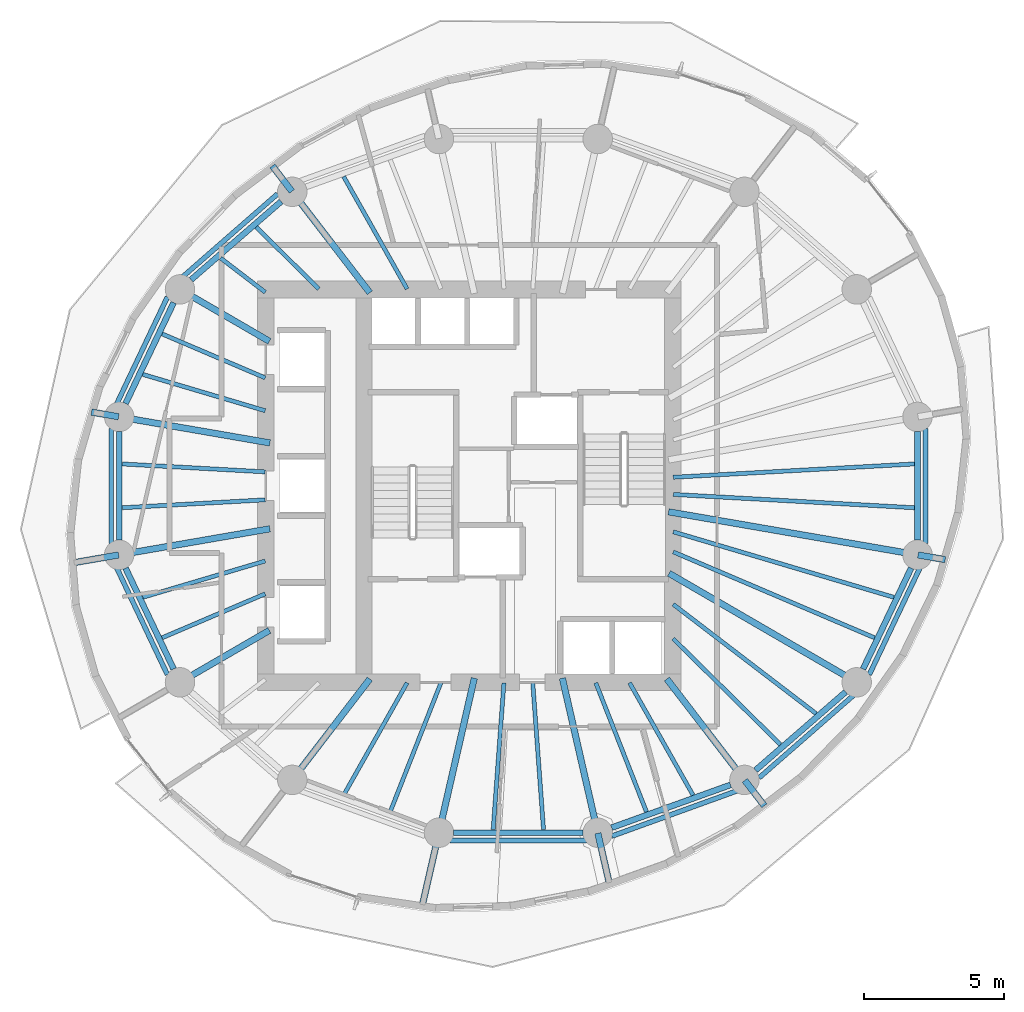
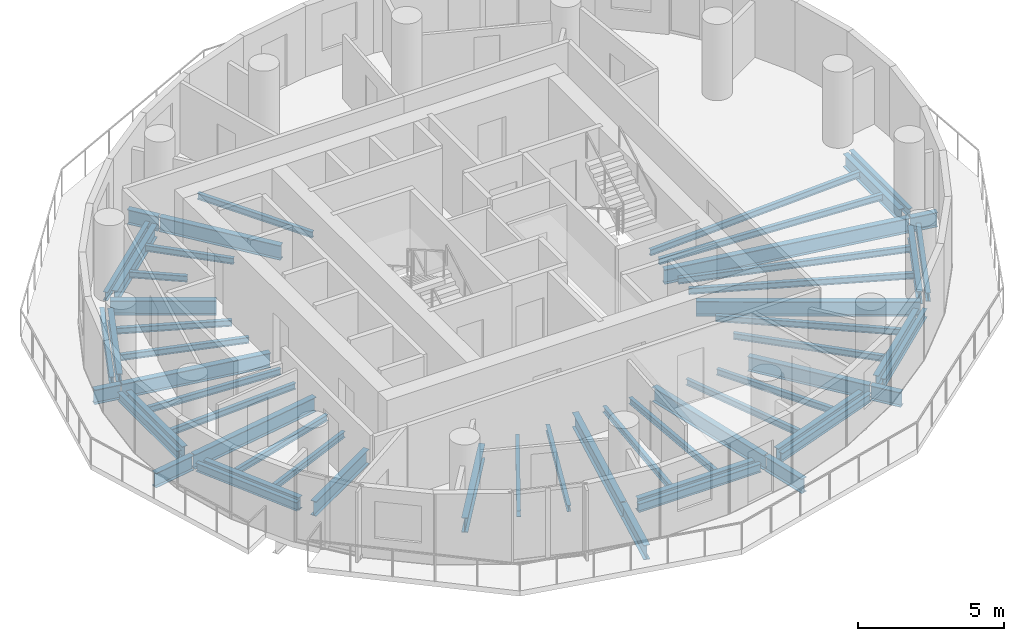
# One storey, part 2 of 12: 57 beams.
"""IFC4 building model written with IfcOpenShell, lengths in metres."""

import ifcopenshell
import ifcopenshell.guid

model = None  # the IFC model being written
_history = None  # IfcOwnerHistory: only IFC2X3 demands one
_inside = {}  # id of a spatial element -> (the spatial element, [elements in it])
_under = {}  # id of a project, library or spatial element -> (it, [spatial elements below it])
_declared = {}  # id of a project -> (the project, [libraries it declares])
_typed = {}  # id of a type object -> (the type object, [elements of that type])
_made_of = {}  # id of a material, layer set ... -> (it, [elements and type objects made of it])


def new_model(schema):
    """Start an empty IFC model of exactly this schema.

    Asked for "IFC4X3", IfcOpenShell would pick the latest addendum, in which some entities
    have other attributes; the version numbers below select the first issue.
    IFC2X3 requires an IfcOwnerHistory on every rooted entity: one is made here for all.
    """
    global model, _history
    if schema == "IFC4X3":
        model = ifcopenshell.file(schema_version=(4, 3, 0, 0))
    else:
        model = ifcopenshell.file(schema=schema)
    _inside.clear()
    _under.clear()
    _declared.clear()
    _typed.clear()
    _made_of.clear()
    _history = None
    if model.schema == "IFC2X3":
        org = make("IfcOrganization", Name="unknown")
        user = make(
            "IfcPersonAndOrganization",
            ThePerson=make("IfcPerson", FamilyName="unknown"),
            TheOrganization=org,
        )
        app = make(
            "IfcApplication",
            ApplicationDeveloper=org,
            Version="unknown",
            ApplicationFullName="unknown",
            ApplicationIdentifier="unknown",
        )
        _history = make(
            "IfcOwnerHistory",
            OwningUser=user,
            OwningApplication=app,
            ChangeAction="ADDED",
            CreationDate=0,
        )
    return model


def make(cls, **values):
    """One entity of the class cls with the attributes given. An attribute that is None is left unset."""
    return model.create_entity(
        cls, **{name: value for name, value in values.items() if value is not None}
    )


def rooted(cls, **values):
    """An entity with a GlobalId (a new one), such as an element, a storey or a relation."""
    return make(cls, GlobalId=ifcopenshell.guid.new(), OwnerHistory=_history, **values)


def si_unit(unit_type, name, prefix=None):
    """IfcSIUnit, for example si_unit("LENGTHUNIT", "METRE", prefix="MILLI")."""
    return make("IfcSIUnit", UnitType=unit_type, Prefix=prefix, Name=name)


def assignment(units):
    """IfcUnitAssignment: the units of a project."""
    return None if units is None else make("IfcUnitAssignment", Units=units)


def point(xyz):
    """IfcCartesianPoint."""
    return None if xyz is None else make("IfcCartesianPoint", Coordinates=xyz)


def direction(xyz):
    """IfcDirection."""
    return None if xyz is None else make("IfcDirection", DirectionRatios=xyz)


def frame(location, z_axis=None, x_axis=None):
    """IfcAxis2Placement3D, a coordinate frame: its origin and axes. An axis left out is left unset."""
    return make(
        "IfcAxis2Placement3D",
        Location=point(location),
        Axis=direction(z_axis),
        RefDirection=direction(x_axis),
    )


def frame_2d(location, x_axis=None):
    """IfcAxis2Placement2D, a coordinate frame in the plane: its origin and x axis."""
    return make(
        "IfcAxis2Placement2D", Location=point(location), RefDirection=direction(x_axis)
    )


def origin():
    """The frame at (0, 0, 0) with its axes left unset."""
    return frame((0.0, 0.0, 0.0))


def origin_2d():
    """The frame at (0, 0) in the plane with its x axis left unset."""
    return frame_2d((0.0, 0.0))


def place(relative_to, where):
    """IfcLocalPlacement: puts the frame where relative to a parent placement (None: the world)."""
    return make(
        "IfcLocalPlacement", PlacementRelTo=relative_to, RelativePlacement=where
    )


def context(
    kind, dimensions, precision=None, world=None, true_north=None, identifier=None
):
    """IfcGeometricRepresentationContext, for example the 3D "Model" context."""
    return make(
        "IfcGeometricRepresentationContext",
        ContextIdentifier=identifier,
        ContextType=kind,
        CoordinateSpaceDimension=dimensions,
        Precision=precision,
        WorldCoordinateSystem=world,
        TrueNorth=true_north,
    )


def subcontext(parent, identifier, kind, view, scale=None):
    """IfcGeometricRepresentationSubContext, for example "Body" below "Model"."""
    return make(
        "IfcGeometricRepresentationSubContext",
        ContextIdentifier=identifier,
        ContextType=kind,
        ParentContext=parent,
        TargetScale=scale,
        TargetView=view,
    )


def project(units=None, contexts=None):
    """IfcProject with its units and contexts."""
    return rooted(
        "IfcProject",
        Name="project",
        RepresentationContexts=contexts,
        UnitsInContext=assignment(units),
    )


def spatial(cls, under=None, at=None, **own):
    """A site, building, storey or space (cls), placed at a placement, below another one or the project."""
    s = rooted(cls, ObjectPlacement=at, **own)
    if under is not None:
        _under.setdefault(under.id(), (under, []))[1].append(s)
    return s


def profile(cls, at=None, kind="AREA", **sizes):
    """A parametric profile (cls). Its sizes go by their IFC names, for example OverallWidth=200.0."""
    return make(cls, ProfileType=kind, Position=at, **sizes)


def i_section(**sizes):
    """IfcIShapeProfileDef."""
    return profile("IfcIShapeProfileDef", **sizes)


def extrude(swept, where, along, depth):
    """IfcExtrudedAreaSolid: the profile swept, set in the frame where, extruded along a direction by depth."""
    return make(
        "IfcExtrudedAreaSolid",
        SweptArea=swept,
        Position=where,
        ExtrudedDirection=direction(along),
        Depth=depth,
    )


def shape(context_of_items, identifier, shape_type, items):
    """IfcShapeRepresentation: the items that make up one representation, for example the "Body"."""
    return make(
        "IfcShapeRepresentation",
        ContextOfItems=context_of_items,
        RepresentationIdentifier=identifier,
        RepresentationType=shape_type,
        Items=items,
    )


def material(Name=None, Category=None):
    """IfcMaterial."""
    return make("IfcMaterial", Name=Name, Category=Category)


def material_profile(
    of_material, cross_section, Name=None, Category=None, Priority=None
):
    """IfcMaterialProfile: a cross section and its material."""
    return make(
        "IfcMaterialProfile",
        Name=Name,
        Material=of_material,
        Profile=cross_section,
        Priority=Priority,
        Category=Category,
    )


def profile_set(profiles, Name=None, composite=None):
    """IfcMaterialProfileSet."""
    return make(
        "IfcMaterialProfileSet",
        Name=Name,
        MaterialProfiles=profiles,
        CompositeProfile=composite,
    )


def made_of(thing, what):
    """Note that an element or type object is made of a material, layer set ...; save() writes the relation."""
    if what is not None:
        _made_of.setdefault(what.id(), (what, []))[1].append(thing)
    return thing


def type_object(cls, material=None, **own):
    """A type object (cls), such as IfcWallType, which elements share."""
    return made_of(rooted(cls, **own), material)


def element(
    cls,
    number,
    at=None,
    inside=None,
    cuts=None,
    type_object=None,
    material=None,
    context=None,
    identifier="Body",
    shape_type=None,
    held_by="IfcProductDefinitionShape",
    body=None,
    shapes=None,
    **own,
):
    """One element of the class cls, such as IfcWall. Its Tag is "e" and its number.

    at: its placement. inside: the storey or other place that contains it. cuts: it is an
    opening in that element (IfcRelVoidsElement). A single representation is given by context,
    identifier, shape_type and body (its items); several are given by shapes. held_by: the class
    of the entity that holds the representations. save() writes the other relations.
    """
    e = rooted(cls, Tag="e%d" % number, ObjectPlacement=at, **own)
    if body is not None:
        shapes = [shape(context, identifier, shape_type, body)]
    if shapes is not None:
        e.Representation = make(held_by, Representations=shapes)
    if inside is not None:
        _inside.setdefault(inside.id(), (inside, []))[1].append(e)
    if cuts is not None:
        rooted(
            "IfcRelVoidsElement", RelatingBuildingElement=cuts, RelatedOpeningElement=e
        )
    if type_object is not None:
        _typed.setdefault(type_object.id(), (type_object, []))[1].append(e)
    return made_of(e, material)


def aggregate(whole, parts):
    """IfcRelAggregates: a whole, such as a stair, and the parts it consists of."""
    return rooted("IfcRelAggregates", RelatingObject=whole, RelatedObjects=parts)


def save(model, path):
    """Write the relations noted so far, then the file.

    IfcRelAggregates (storeys below a building ...), IfcRelContainedInSpatialStructure (elements
    in a storey), IfcRelDefinesByType, IfcRelAssociatesMaterial and IfcRelDeclares: one each for
    every whole, place, type object, material and project.
    """
    for whole, parts in _under.values():
        aggregate(whole, parts)
    for where, things in _inside.values():
        rooted(
            "IfcRelContainedInSpatialStructure",
            RelatedElements=things,
            RelatingStructure=where,
        )
    for kind, things in _typed.values():
        rooted("IfcRelDefinesByType", RelatedObjects=things, RelatingType=kind)
    for what, things in _made_of.values():
        rooted("IfcRelAssociatesMaterial", RelatedObjects=things, RelatingMaterial=what)
    for by, libraries in _declared.values():
        rooted("IfcRelDeclares", RelatingContext=by, RelatedDefinitions=libraries)
    model.write(path)


model = new_model("IFC4")

# Units and contexts
model_context = context("Model", 3, precision=1e-05, world=origin(), true_north=direction((0.0, 1.0)))
body_context = subcontext(model_context, "Body", "Model", "MODEL_VIEW")
ifc_project = project(units=[si_unit("LENGTHUNIT", "METRE"), si_unit("AREAUNIT", "SQUARE_METRE"), si_unit("VOLUMEUNIT", "CUBIC_METRE"), si_unit("PLANEANGLEUNIT", "RADIAN"), si_unit("MASSUNIT", "GRAM", prefix="KILO")], contexts=[model_context])

# Site, building, storey
site_placement = place(None, origin())
site = spatial("IfcSite", under=ifc_project, at=site_placement, CompositionType="ELEMENT")
building_placement = place(site_placement, origin())
building = spatial("IfcBuilding", under=site, at=building_placement, Name="Veldorim Arch Residences", CompositionType="ELEMENT")
storey_placement = place(building_placement, frame((0.0, 0.0, 132.9599609375)))
storey = spatial("IfcBuildingStorey", under=building, at=storey_placement, Name="L39", CompositionType="ELEMENT", Elevation=132.9599609375)

# Beams
ifc_material_1 = material(Name="Steel S355", Category="steel")
ifc_material_profile_1 = material_profile(ifc_material_1, i_section(OverallWidth=0.2099609375, OverallDepth=0.53662109375, WebThickness=0.0107421875, FlangeThickness=0.017333984375, at=origin_2d()), Name="UB533x210x101")
ifc_profile_set_1 = profile_set([ifc_material_profile_1], Name="Steel S355")
beam_type_1 = type_object("IfcBeamType", Name="Structural Steel Beam UB533x210x101", PredefinedType="BEAM", material=ifc_profile_set_1)
beam_1_placement = place(storey_placement, frame((23.5478515625, 34.132080078125, -0.50830078125), z_axis=(-0.754810789581, -0.655942582802, 0.0), x_axis=(0.655942582802, -0.754810789581, 0.0)))
element("IfcBeam", 1, at=beam_1_placement, inside=storey, type_object=beam_type_1, Name="L39 perimeter ring tie beam 06", PredefinedType="BEAM", context=body_context, shape_type="SweptSolid", body=[
    extrude(i_section(OverallWidth=0.2099609375, OverallDepth=0.53662109375, WebThickness=0.0107421875, FlangeThickness=0.017333984375, at=origin_2d()), origin(), (0.0, 0.0, 1.0), 4.249755859375),
])
beam_2_placement = place(storey_placement, frame((19.7177734375, 30.5263671875, -0.50830078125), z_axis=(-0.43028577851, -0.902692721147, 0.0), x_axis=(0.902692721147, -0.43028577851, 0.0)))
element("IfcBeam", 2, at=beam_2_placement, inside=storey, type_object=beam_type_1, Name="L39 perimeter ring tie beam 07", PredefinedType="BEAM", context=body_context, shape_type="SweptSolid", body=[
    extrude(i_section(OverallWidth=0.2099609375, OverallDepth=0.53662109375, WebThickness=0.0107421875, FlangeThickness=0.017333984375, at=origin_2d()), origin(), (0.0, 0.0, 1.0), 3.98193359375),
])
beam_3_placement = place(storey_placement, frame((17.778564453125, 25.93310546875, -0.50830078125), z_axis=(0.0, -1.0, 0.0), x_axis=(1.0, 0.0, 0.0)))
element("IfcBeam", 3, at=beam_3_placement, inside=storey, type_object=beam_type_1, Name="L39 perimeter ring tie beam 08", PredefinedType="BEAM", context=body_context, shape_type="SweptSolid", body=[
    extrude(i_section(OverallWidth=0.2099609375, OverallDepth=0.53662109375, WebThickness=0.0107421875, FlangeThickness=0.017333984375, at=origin_2d()), origin(), (0.0, 0.0, 1.0), 3.8662109375),
])
beam_4_placement = place(storey_placement, frame((18.00439453125, 21.068115234375, -0.50830078125), z_axis=(0.43028577851, -0.902692721147, 0.0), x_axis=(0.902692721147, 0.43028577851, 0.0)))
element("IfcBeam", 4, at=beam_4_placement, inside=storey, type_object=beam_type_1, Name="L39 perimeter ring tie beam 09", PredefinedType="BEAM", context=body_context, shape_type="SweptSolid", body=[
    extrude(i_section(OverallWidth=0.2099609375, OverallDepth=0.53662109375, WebThickness=0.0107421875, FlangeThickness=0.017333984375, at=origin_2d()), origin(), (0.0, 0.0, 1.0), 3.98193359375),
])
beam_5_placement = place(storey_placement, frame((29.6962890625, 11.64208984375, -0.50830078125), z_axis=(1.0, 0.0, 0.0), x_axis=(0.0, 1.0, 0.0)))
element("IfcBeam", 5, at=beam_5_placement, inside=storey, type_object=beam_type_1, Name="L39 perimeter ring tie beam 12", PredefinedType="BEAM", context=body_context, shape_type="SweptSolid", body=[
    extrude(i_section(OverallWidth=0.2099609375, OverallDepth=0.53662109375, WebThickness=0.0107421875, FlangeThickness=0.017333984375, at=origin_2d()), origin(), (0.0, 0.0, 1.0), 4.607421875),
])
beam_6_placement = place(storey_placement, frame((35.32275390625, 11.81982421875, -0.50830078125), z_axis=(0.940899155006, 0.338686846673, 0.0), x_axis=(-0.338686846673, 0.940899155006, 0.0)))
element("IfcBeam", 6, at=beam_6_placement, inside=storey, type_object=beam_type_1, Name="L39 perimeter ring tie beam 13", PredefinedType="BEAM", context=body_context, shape_type="SweptSolid", body=[
    extrude(i_section(OverallWidth=0.2099609375, OverallDepth=0.53662109375, WebThickness=0.0107421875, FlangeThickness=0.017333984375, at=origin_2d()), origin(), (0.0, 0.0, 1.0), 4.50537109375),
])
beam_7_placement = place(storey_placement, frame((40.4521484375, 13.867919921875, -0.50830078125), z_axis=(0.754810789581, 0.655942582802, 0.0), x_axis=(-0.655942582802, 0.754810789581, 0.0)))
element("IfcBeam", 7, at=beam_7_placement, inside=storey, type_object=beam_type_1, Name="L39 perimeter ring tie beam 14", PredefinedType="BEAM", context=body_context, shape_type="SweptSolid", body=[
    extrude(i_section(OverallWidth=0.2099609375, OverallDepth=0.53662109375, WebThickness=0.0107421875, FlangeThickness=0.017333984375, at=origin_2d()), origin(), (0.0, 0.0, 1.0), 4.249755859375),
])
beam_8_placement = place(storey_placement, frame((44.2822265625, 17.4736328125, -0.50830078125), z_axis=(0.43028577851, 0.902692721147, 0.0), x_axis=(-0.902692721147, 0.43028577851, 0.0)))
element("IfcBeam", 8, at=beam_8_placement, inside=storey, type_object=beam_type_1, Name="L39 perimeter ring tie beam 15", PredefinedType="BEAM", context=body_context, shape_type="SweptSolid", body=[
    extrude(i_section(OverallWidth=0.2099609375, OverallDepth=0.53662109375, WebThickness=0.0107421875, FlangeThickness=0.017333984375, at=origin_2d()), origin(), (0.0, 0.0, 1.0), 3.98193359375),
])
beam_9_placement = place(storey_placement, frame((46.221435546875, 22.06689453125, -0.50830078125), z_axis=(0.0, 1.0, 0.0), x_axis=(-1.0, 0.0, 0.0)))
element("IfcBeam", 9, at=beam_9_placement, inside=storey, type_object=beam_type_1, Name="L39 perimeter ring tie beam 16", PredefinedType="BEAM", context=body_context, shape_type="SweptSolid", body=[
    extrude(i_section(OverallWidth=0.2099609375, OverallDepth=0.53662109375, WebThickness=0.0107421875, FlangeThickness=0.017333984375, at=origin_2d()), origin(), (0.0, 0.0, 1.0), 3.8662109375),
])
ifc_material_2 = material(Name="Steel S355", Category="steel")
ifc_material_profile_2 = material_profile(ifc_material_2, i_section(OverallWidth=0.22900390625, OverallDepth=0.6123046875, WebThickness=0.011962890625, FlangeThickness=0.01953125, at=origin_2d()), Name="UB610x229x125")
ifc_profile_set_2 = profile_set([ifc_material_profile_2], Name="Steel S355")
beam_type_2 = type_object("IfcBeamType", Name="Structural Steel Beam UB610x229x125", PredefinedType="BEAM", material=ifc_profile_set_2)
beam_10_placement = place(storey_placement, frame((26.708740234375, 30.881103515625, -0.546142578125), z_axis=(-0.609559199361, 0.792740551804, 0.0), x_axis=(-0.792740551804, -0.609559199361, 0.0)))
element("IfcBeam", 10, at=beam_10_placement, inside=storey, type_object=beam_type_2, Name="L39 radial floor girder 06", PredefinedType="BEAM", context=body_context, shape_type="SweptSolid", body=[
    extrude(i_section(OverallWidth=0.22900390625, OverallDepth=0.6123046875, WebThickness=0.011962890625, FlangeThickness=0.01953125, at=origin_2d()), origin(), (0.0, 0.0, 1.0), 4.515380859375),
])
beam_11_placement = place(storey_placement, frame((23.931884765625, 34.492431640625, -0.546142578125), z_axis=(-0.609493928704, 0.792790735865, 0.0), x_axis=(-0.792790735865, -0.609493928704, 0.0)))
element("IfcBeam", 11, at=beam_11_placement, inside=storey, type_object=beam_type_2, Name="L39 radial edge cantilever girder 06", PredefinedType="BEAM", context=body_context, shape_type="SweptSolid", body=[
    extrude(i_section(OverallWidth=0.22900390625, OverallDepth=0.6123046875, WebThickness=0.011962890625, FlangeThickness=0.01953125, at=origin_2d()), origin(), (0.0, 0.0, 1.0), 1.142822265625),
])
beam_12_placement = place(storey_placement, frame((23.129638671875, 29.150390625, -0.546142578125), z_axis=(-0.864794546612, 0.502125872815, 0.0), x_axis=(-0.502125872815, -0.864794546612, 0.0)))
element("IfcBeam", 12, at=beam_12_placement, inside=storey, type_object=beam_type_2, Name="L39 radial floor girder 07", PredefinedType="BEAM", context=body_context, shape_type="SweptSolid", body=[
    extrude(i_section(OverallWidth=0.22900390625, OverallDepth=0.6123046875, WebThickness=0.011962890625, FlangeThickness=0.01953125, at=origin_2d()), origin(), (0.0, 0.0, 1.0), 3.6640625),
])
beam_13_placement = place(storey_placement, frame((23.147705078125, 25.530029296875, -0.546142578125), z_axis=(-0.985390445301, 0.170310511449, 0.0), x_axis=(-0.170310511449, -0.985390445301, 0.0)))
element("IfcBeam", 13, at=beam_13_placement, inside=storey, type_object=beam_type_2, Name="L39 radial floor girder 08", PredefinedType="BEAM", context=body_context, shape_type="SweptSolid", body=[
    extrude(i_section(OverallWidth=0.22900390625, OverallDepth=0.6123046875, WebThickness=0.011962890625, FlangeThickness=0.01953125, at=origin_2d()), origin(), (0.0, 0.0, 1.0), 5.4287109375),
])
beam_14_placement = place(storey_placement, frame((17.7587890625, 26.46142578125, -0.546142578125), z_axis=(-0.985360944305, 0.170481111675, 0.0), x_axis=(-0.170481111675, -0.985360944305, 0.0)))
element("IfcBeam", 14, at=beam_14_placement, inside=storey, type_object=beam_type_2, Name="L39 radial edge cantilever girder 08", PredefinedType="BEAM", context=body_context, shape_type="SweptSolid", body=[
    extrude(i_section(OverallWidth=0.22900390625, OverallDepth=0.6123046875, WebThickness=0.011962890625, FlangeThickness=0.01953125, at=origin_2d()), origin(), (0.0, 0.0, 1.0), 0.982421875),
])
beam_15_placement = place(storey_placement, frame((23.147705078125, 22.469970703125, -0.546142578125), z_axis=(-0.985390445301, -0.170310511449, 0.0), x_axis=(0.170310511449, -0.985390445301, 0.0)))
element("IfcBeam", 15, at=beam_15_placement, inside=storey, type_object=beam_type_2, Name="L39 radial floor girder 09", PredefinedType="BEAM", context=body_context, shape_type="SweptSolid", body=[
    extrude(i_section(OverallWidth=0.22900390625, OverallDepth=0.6123046875, WebThickness=0.011962890625, FlangeThickness=0.01953125, at=origin_2d()), origin(), (0.0, 0.0, 1.0), 5.4287109375),
])
beam_16_placement = place(storey_placement, frame((17.7587890625, 21.53857421875, -0.546142578125), z_axis=(-0.985381722232, -0.170360974082, 0.0), x_axis=(0.170360974082, -0.985381722232, 0.0)))
element("IfcBeam", 16, at=beam_16_placement, inside=storey, type_object=beam_type_2, Name="L39 radial edge cantilever girder 09", PredefinedType="BEAM", context=body_context, shape_type="SweptSolid", body=[
    extrude(i_section(OverallWidth=0.22900390625, OverallDepth=0.6123046875, WebThickness=0.011962890625, FlangeThickness=0.01953125, at=origin_2d()), origin(), (0.0, 0.0, 1.0), 1.6923828125),
])
beam_17_placement = place(storey_placement, frame((23.129638671875, 18.849609375, -0.546142578125), z_axis=(-0.864794546612, -0.502125872815, 0.0), x_axis=(0.502125872815, -0.864794546612, 0.0)))
element("IfcBeam", 17, at=beam_17_placement, inside=storey, type_object=beam_type_2, Name="L39 radial floor girder 10", PredefinedType="BEAM", context=body_context, shape_type="SweptSolid", body=[
    extrude(i_section(OverallWidth=0.22900390625, OverallDepth=0.6123046875, WebThickness=0.011962890625, FlangeThickness=0.01953125, at=origin_2d()), origin(), (0.0, 0.0, 1.0), 3.6640625),
])
beam_18_placement = place(storey_placement, frame((26.708740234375, 17.118896484375, -0.546142578125), z_axis=(-0.609559199361, -0.792740551804, 0.0), x_axis=(0.792740551804, -0.609559199361, 0.0)))
element("IfcBeam", 18, at=beam_18_placement, inside=storey, type_object=beam_type_2, Name="L39 radial floor girder 11", PredefinedType="BEAM", context=body_context, shape_type="SweptSolid", body=[
    extrude(i_section(OverallWidth=0.22900390625, OverallDepth=0.6123046875, WebThickness=0.011962890625, FlangeThickness=0.01953125, at=origin_2d()), origin(), (0.0, 0.0, 1.0), 4.515380859375),
])
beam_19_placement = place(storey_placement, frame((30.43115234375, 17.146240234375, -0.546142578125), z_axis=(-0.223119342184, -0.974791136164, 0.0), x_axis=(0.974791136164, -0.223119342184, 0.0)))
element("IfcBeam", 19, at=beam_19_placement, inside=storey, type_object=beam_type_2, Name="L39 radial floor girder 12", PredefinedType="BEAM", context=body_context, shape_type="SweptSolid", body=[
    extrude(i_section(OverallWidth=0.22900390625, OverallDepth=0.6123046875, WebThickness=0.011962890625, FlangeThickness=0.01953125, at=origin_2d()), origin(), (0.0, 0.0, 1.0), 5.62646484375),
])
beam_20_placement = place(storey_placement, frame((29.166748046875, 11.62255859375, -0.546142578125), z_axis=(-0.223142644538, -0.974785802209, 0.0), x_axis=(0.974785802209, -0.223142644538, 0.0)))
element("IfcBeam", 20, at=beam_20_placement, inside=storey, type_object=beam_type_2, Name="L39 radial edge cantilever girder 12", PredefinedType="BEAM", context=body_context, shape_type="SweptSolid", body=[
    extrude(i_section(OverallWidth=0.22900390625, OverallDepth=0.6123046875, WebThickness=0.011962890625, FlangeThickness=0.01953125, at=origin_2d()), origin(), (0.0, 0.0, 1.0), 2.6904296875),
])
beam_21_placement = place(storey_placement, frame((33.56884765625, 17.146240234375, -0.546142578125), z_axis=(0.223119342184, -0.974791136164, 0.0), x_axis=(0.974791136164, 0.223119342184, 0.0)))
element("IfcBeam", 21, at=beam_21_placement, inside=storey, type_object=beam_type_2, Name="L39 radial floor girder 13", PredefinedType="BEAM", context=body_context, shape_type="SweptSolid", body=[
    extrude(i_section(OverallWidth=0.22900390625, OverallDepth=0.6123046875, WebThickness=0.011962890625, FlangeThickness=0.01953125, at=origin_2d()), origin(), (0.0, 0.0, 1.0), 5.62646484375),
])
beam_22_placement = place(storey_placement, frame((34.833251953125, 11.62255859375, -0.546142578125), z_axis=(0.223112606044, -0.97479267797, 0.0), x_axis=(0.97479267797, 0.223112606044, 0.0)))
element("IfcBeam", 22, at=beam_22_placement, inside=storey, type_object=beam_type_2, Name="L39 radial edge cantilever girder 13", PredefinedType="BEAM", context=body_context, shape_type="SweptSolid", body=[
    extrude(i_section(OverallWidth=0.22900390625, OverallDepth=0.6123046875, WebThickness=0.011962890625, FlangeThickness=0.01953125, at=origin_2d()), origin(), (0.0, 0.0, 1.0), 1.888671875),
])
beam_23_placement = place(storey_placement, frame((37.291259765625, 17.118896484375, -0.546142578125), z_axis=(0.609559199361, -0.792740551804, 0.0), x_axis=(0.792740551804, 0.609559199361, 0.0)))
element("IfcBeam", 23, at=beam_23_placement, inside=storey, type_object=beam_type_2, Name="L39 radial floor girder 14", PredefinedType="BEAM", context=body_context, shape_type="SweptSolid", body=[
    extrude(i_section(OverallWidth=0.22900390625, OverallDepth=0.6123046875, WebThickness=0.011962890625, FlangeThickness=0.01953125, at=origin_2d()), origin(), (0.0, 0.0, 1.0), 4.515380859375),
])
beam_24_placement = place(storey_placement, frame((40.068115234375, 13.507568359375, -0.546142578125), z_axis=(0.609493928704, -0.792790735865, 0.0), x_axis=(0.792790735865, 0.609493928704, 0.0)))
element("IfcBeam", 24, at=beam_24_placement, inside=storey, type_object=beam_type_2, Name="L39 radial edge cantilever girder 14", PredefinedType="BEAM", context=body_context, shape_type="SweptSolid", body=[
    extrude(i_section(OverallWidth=0.22900390625, OverallDepth=0.6123046875, WebThickness=0.011962890625, FlangeThickness=0.01953125, at=origin_2d()), origin(), (0.0, 0.0, 1.0), 1.142822265625),
])
beam_25_placement = place(storey_placement, frame((37.370361328125, 20.8818359375, -0.546142578125), z_axis=(0.864793381443, -0.502127879542, 0.0), x_axis=(0.502127879542, 0.864793381443, 0.0)))
element("IfcBeam", 25, at=beam_25_placement, inside=storey, type_object=beam_type_2, Name="L39 radial floor girder 15", PredefinedType="BEAM", context=body_context, shape_type="SweptSolid", body=[
    extrude(i_section(OverallWidth=0.22900390625, OverallDepth=0.6123046875, WebThickness=0.011962890625, FlangeThickness=0.01953125, at=origin_2d()), origin(), (0.0, 0.0, 1.0), 7.71142578125),
])
beam_26_placement = place(storey_placement, frame((37.352294921875, 23.074951171875, -0.546142578125), z_axis=(0.985389398766, -0.170316566427, 0.0), x_axis=(0.170316566427, 0.985389398766, 0.0)))
element("IfcBeam", 26, at=beam_26_placement, inside=storey, type_object=beam_type_2, Name="L39 radial floor girder 16", PredefinedType="BEAM", context=body_context, shape_type="SweptSolid", body=[
    extrude(i_section(OverallWidth=0.22900390625, OverallDepth=0.6123046875, WebThickness=0.011962890625, FlangeThickness=0.01953125, at=origin_2d()), origin(), (0.0, 0.0, 1.0), 8.98046875),
])
beam_27_placement = place(storey_placement, frame((46.2412109375, 21.53857421875, -0.546142578125), z_axis=(0.985360944305, -0.170481111675, 0.0), x_axis=(0.170481111675, 0.985360944305, 0.0)))
element("IfcBeam", 27, at=beam_27_placement, inside=storey, type_object=beam_type_2, Name="L39 radial edge cantilever girder 16", PredefinedType="BEAM", context=body_context, shape_type="SweptSolid", body=[
    extrude(i_section(OverallWidth=0.22900390625, OverallDepth=0.6123046875, WebThickness=0.011962890625, FlangeThickness=0.01953125, at=origin_2d()), origin(), (0.0, 0.0, 1.0), 0.982421875),
])
ifc_material_3 = material(Name="Steel S355", Category="steel")
ifc_material_profile_3 = material_profile(ifc_material_3, i_section(OverallWidth=0.146484375, OverallDepth=0.256103515625, WebThickness=0.00634765625, FlangeThickness=0.010986328125, at=origin_2d()), Name="UB254x146x37")
ifc_profile_set_3 = profile_set([ifc_material_profile_3], Name="Steel S355")
beam_type_3 = type_object("IfcBeamType", Name="Structural Steel Joist UB254x146x37", PredefinedType="JOIST", material=ifc_profile_set_3)
beam_28_placement = place(storey_placement, frame((28.03662109375, 31.017333984375, -0.367919921875), z_axis=(-0.491815801586, 0.870699269157, 0.0), x_axis=(-0.870699269157, -0.491815801586, 0.0)))
element("IfcBeam", 28, at=beam_28_placement, inside=storey, type_object=beam_type_3, Name="L39 secondary radial floor joist 05-2", PredefinedType="JOIST", context=body_context, shape_type="SweptSolid", body=[
    extrude(i_section(OverallWidth=0.146484375, OverallDepth=0.256103515625, WebThickness=0.00634765625, FlangeThickness=0.010986328125, at=origin_2d()), origin(), (0.0, 0.0, 1.0), 4.59814453125),
])
beam_29_placement = place(storey_placement, frame((24.894287109375, 31.013916015625, -0.367919921875), z_axis=(-0.711683379532, 0.702500368183, 0.0), x_axis=(-0.702500368183, -0.711683379532, 0.0)))
element("IfcBeam", 29, at=beam_29_placement, inside=storey, type_object=beam_type_3, Name="L39 secondary radial floor joist 06-1", PredefinedType="JOIST", context=body_context, shape_type="SweptSolid", body=[
    extrude(i_section(OverallWidth=0.146484375, OverallDepth=0.256103515625, WebThickness=0.00634765625, FlangeThickness=0.010986328125, at=origin_2d()), origin(), (0.0, 0.0, 1.0), 3.13720703125),
])
beam_30_placement = place(storey_placement, frame((22.984130859375, 30.89697265625, -0.367919921875), z_axis=(-0.794312925337, 0.607508828448, 0.0), x_axis=(-0.607508828448, -0.794312925337, 0.0)))
element("IfcBeam", 30, at=beam_30_placement, inside=storey, type_object=beam_type_3, Name="L39 secondary radial floor joist 06-2", PredefinedType="JOIST", context=body_context, shape_type="SweptSolid", body=[
    extrude(i_section(OverallWidth=0.146484375, OverallDepth=0.256103515625, WebThickness=0.00634765625, FlangeThickness=0.010986328125, at=origin_2d()), origin(), (0.0, 0.0, 1.0), 2.006103515625),
])
beam_31_placement = place(storey_placement, frame((22.981689453125, 27.84619140625, -0.367919921875), z_axis=(-0.919823469329, 0.392332493265, 0.0), x_axis=(-0.392332493265, -0.919823469329, 0.0)))
element("IfcBeam", 31, at=beam_31_placement, inside=storey, type_object=beam_type_3, Name="L39 secondary radial floor joist 07-1", PredefinedType="JOIST", context=body_context, shape_type="SweptSolid", body=[
    extrude(i_section(OverallWidth=0.146484375, OverallDepth=0.256103515625, WebThickness=0.00634765625, FlangeThickness=0.010986328125, at=origin_2d()), origin(), (0.0, 0.0, 1.0), 3.993896484375),
])
beam_32_placement = place(storey_placement, frame((22.980712890625, 26.677001953125, -0.367919921875), z_axis=(-0.95868163277, 0.284481154014, 0.0), x_axis=(-0.284481154014, -0.95868163277, 0.0)))
element("IfcBeam", 32, at=beam_32_placement, inside=storey, type_object=beam_type_3, Name="L39 secondary radial floor joist 07-2", PredefinedType="JOIST", context=body_context, shape_type="SweptSolid", body=[
    extrude(i_section(OverallWidth=0.146484375, OverallDepth=0.256103515625, WebThickness=0.00634765625, FlangeThickness=0.010986328125, at=origin_2d()), origin(), (0.0, 0.0, 1.0), 4.54931640625),
])
for number, where, z_axis, x_axis, name in (
    (33, (22.97998046875, 24.498779296875, -0.367919921875), (-0.998472994317, 0.055242009562, 0.0), (-0.055242009562, -0.998472994317, 0.0), "L39 secondary radial floor joist 08-1"),
    (34, (22.97998046875, 23.501220703125, -0.367919921875), (-0.998472994317, -0.055242009562, 0.0), (0.055242009562, -0.998472994317, 0.0), "L39 secondary radial floor joist 08-2"),
):
    element("IfcBeam", number, at=place(storey_placement, frame(where, z_axis=z_axis, x_axis=x_axis)), inside=storey, type_object=beam_type_3, Name=name, PredefinedType="JOIST", context=body_context, shape_type="SweptSolid", body=[
        extrude(i_section(OverallWidth=0.146484375, OverallDepth=0.256103515625, WebThickness=0.00634765625, FlangeThickness=0.010986328125, at=origin_2d()), origin(), (0.0, 0.0, 1.0), 5.10009765625),
    ])
beam_33_placement = place(storey_placement, frame((22.980712890625, 21.322998046875, -0.367919921875), z_axis=(-0.95868163277, -0.284481154014, 0.0), x_axis=(0.284481154014, -0.95868163277, 0.0)))
element("IfcBeam", 35, at=beam_33_placement, inside=storey, type_object=beam_type_3, Name="L39 secondary radial floor joist 09-1", PredefinedType="JOIST", context=body_context, shape_type="SweptSolid", body=[
    extrude(i_section(OverallWidth=0.146484375, OverallDepth=0.256103515625, WebThickness=0.00634765625, FlangeThickness=0.010986328125, at=origin_2d()), origin(), (0.0, 0.0, 1.0), 4.54931640625),
])
beam_34_placement = place(storey_placement, frame((22.981689453125, 20.15380859375, -0.367919921875), z_axis=(-0.919823469329, -0.392332493265, 0.0), x_axis=(0.392332493265, -0.919823469329, 0.0)))
element("IfcBeam", 36, at=beam_34_placement, inside=storey, type_object=beam_type_3, Name="L39 secondary radial floor joist 09-2", PredefinedType="JOIST", context=body_context, shape_type="SweptSolid", body=[
    extrude(i_section(OverallWidth=0.146484375, OverallDepth=0.256103515625, WebThickness=0.00634765625, FlangeThickness=0.010986328125, at=origin_2d()), origin(), (0.0, 0.0, 1.0), 3.993896484375),
])
beam_35_placement = place(storey_placement, frame((28.03662109375, 16.982666015625, -0.367919921875), z_axis=(-0.491815801586, -0.870699269157, 0.0), x_axis=(0.870699269157, -0.491815801586, 0.0)))
element("IfcBeam", 37, at=beam_35_placement, inside=storey, type_object=beam_type_3, Name="L39 secondary radial floor joist 11-1", PredefinedType="JOIST", context=body_context, shape_type="SweptSolid", body=[
    extrude(i_section(OverallWidth=0.146484375, OverallDepth=0.256103515625, WebThickness=0.00634765625, FlangeThickness=0.010986328125, at=origin_2d()), origin(), (0.0, 0.0, 1.0), 4.59814453125),
])
beam_36_placement = place(storey_placement, frame((29.2412109375, 16.9814453125, -0.367919921875), z_axis=(-0.365777738491, -0.930702232739, 0.0), x_axis=(0.930702232739, -0.365777738491, 0.0)))
element("IfcBeam", 38, at=beam_36_placement, inside=storey, type_object=beam_type_3, Name="L39 secondary radial floor joist 11-2", PredefinedType="JOIST", context=body_context, shape_type="SweptSolid", body=[
    extrude(i_section(OverallWidth=0.146484375, OverallDepth=0.256103515625, WebThickness=0.00634765625, FlangeThickness=0.010986328125, at=origin_2d()), origin(), (0.0, 0.0, 1.0), 4.9404296875),
])
for number, where, z_axis, x_axis, name in (
    (39, (31.48583984375, 16.97998046875, -0.367919921875), (-0.073060364166, -0.997327520521, 0.0), (0.997327520521, -0.073060364166, 0.0), "L39 secondary radial floor joist 12-1"),
    (40, (32.51416015625, 16.97998046875, -0.367919921875), (0.073060364166, -0.997327520521, 0.0), (0.997327520521, 0.073060364166, 0.0), "L39 secondary radial floor joist 12-2"),
):
    element("IfcBeam", number, at=place(storey_placement, frame(where, z_axis=z_axis, x_axis=x_axis)), inside=storey, type_object=beam_type_3, Name=name, PredefinedType="JOIST", context=body_context, shape_type="SweptSolid", body=[
        extrude(i_section(OverallWidth=0.146484375, OverallDepth=0.256103515625, WebThickness=0.00634765625, FlangeThickness=0.010986328125, at=origin_2d()), origin(), (0.0, 0.0, 1.0), 5.242919921875),
    ])
beam_37_placement = place(storey_placement, frame((34.7587890625, 16.9814453125, -0.367919921875), z_axis=(0.365777738491, -0.930702232739, 0.0), x_axis=(0.930702232739, 0.365777738491, 0.0)))
element("IfcBeam", 41, at=beam_37_placement, inside=storey, type_object=beam_type_3, Name="L39 secondary radial floor joist 13-1", PredefinedType="JOIST", context=body_context, shape_type="SweptSolid", body=[
    extrude(i_section(OverallWidth=0.146484375, OverallDepth=0.256103515625, WebThickness=0.00634765625, FlangeThickness=0.010986328125, at=origin_2d()), origin(), (0.0, 0.0, 1.0), 4.9404296875),
])
beam_38_placement = place(storey_placement, frame((35.96337890625, 16.982666015625, -0.367919921875), z_axis=(0.491815801586, -0.870699269157, 0.0), x_axis=(0.870699269157, 0.491815801586, 0.0)))
element("IfcBeam", 42, at=beam_38_placement, inside=storey, type_object=beam_type_3, Name="L39 secondary radial floor joist 13-2", PredefinedType="JOIST", context=body_context, shape_type="SweptSolid", body=[
    extrude(i_section(OverallWidth=0.146484375, OverallDepth=0.256103515625, WebThickness=0.00634765625, FlangeThickness=0.010986328125, at=origin_2d()), origin(), (0.0, 0.0, 1.0), 4.59814453125),
])
beam_39_placement = place(storey_placement, frame((37.51416015625, 18.556884765625, -0.367919921875), z_axis=(0.711703457158, -0.702480027523, 0.0), x_axis=(0.702480027523, 0.711703457158, 0.0)))
element("IfcBeam", 43, at=beam_39_placement, inside=storey, type_object=beam_type_3, Name="L39 secondary radial floor joist 14-1", PredefinedType="JOIST", context=body_context, shape_type="SweptSolid", body=[
    extrude(i_section(OverallWidth=0.146484375, OverallDepth=0.256103515625, WebThickness=0.00634765625, FlangeThickness=0.010986328125, at=origin_2d()), origin(), (0.0, 0.0, 1.0), 5.373291015625),
])
beam_40_placement = place(storey_placement, frame((37.515869140625, 19.780517578125, -0.367919921875), z_axis=(0.794267053144, -0.607568801281, 0.0), x_axis=(0.607568801281, 0.794267053144, 0.0)))
element("IfcBeam", 44, at=beam_40_placement, inside=storey, type_object=beam_type_3, Name="L39 secondary radial floor joist 14-2", PredefinedType="JOIST", context=body_context, shape_type="SweptSolid", body=[
    extrude(i_section(OverallWidth=0.146484375, OverallDepth=0.256103515625, WebThickness=0.00634765625, FlangeThickness=0.010986328125, at=origin_2d()), origin(), (0.0, 0.0, 1.0), 6.412841796875),
])
beam_41_placement = place(storey_placement, frame((37.518310546875, 21.646484375, -0.367919921875), z_axis=(0.919831795434, -0.39231297214, 0.0), x_axis=(0.39231297214, 0.919831795434, 0.0)))
element("IfcBeam", 45, at=beam_41_placement, inside=storey, type_object=beam_type_3, Name="L39 secondary radial floor joist 15-1", PredefinedType="JOIST", context=body_context, shape_type="SweptSolid", body=[
    extrude(i_section(OverallWidth=0.146484375, OverallDepth=0.256103515625, WebThickness=0.00634765625, FlangeThickness=0.010986328125, at=origin_2d()), origin(), (0.0, 0.0, 1.0), 7.798828125),
])
beam_42_placement = place(storey_placement, frame((37.519287109375, 22.36181640625, -0.367919921875), z_axis=(0.958674276305, -0.284505943614, 0.0), x_axis=(0.284505943614, 0.958674276305, 0.0)))
element("IfcBeam", 46, at=beam_42_placement, inside=storey, type_object=beam_type_3, Name="L39 secondary radial floor joist 15-2", PredefinedType="JOIST", context=body_context, shape_type="SweptSolid", body=[
    extrude(i_section(OverallWidth=0.146484375, OverallDepth=0.256103515625, WebThickness=0.00634765625, FlangeThickness=0.010986328125, at=origin_2d()), origin(), (0.0, 0.0, 1.0), 8.2001953125),
])
for number, where, z_axis, x_axis, name in (
    (47, (37.52001953125, 23.694580078125, -0.367919921875), (0.998474809964, -0.055209182821, 0.0), (0.055209182821, 0.998474809964, 0.0), "L39 secondary radial floor joist 16-1"),
    (48, (37.52001953125, 24.305419921875, -0.367919921875), (0.998474809964, 0.055209182821, 0.0), (-0.055209182821, 0.998474809964, 0.0), "L39 secondary radial floor joist 16-2"),
):
    element("IfcBeam", number, at=place(storey_placement, frame(where, z_axis=z_axis, x_axis=x_axis)), inside=storey, type_object=beam_type_3, Name=name, PredefinedType="JOIST", context=body_context, shape_type="SweptSolid", body=[
        extrude(i_section(OverallWidth=0.146484375, OverallDepth=0.256103515625, WebThickness=0.00634765625, FlangeThickness=0.010986328125, at=origin_2d()), origin(), (0.0, 0.0, 1.0), 8.60546875),
    ])
ifc_material_4 = material(Name="Steel S355", Category="steel")
ifc_material_profile_4 = material_profile(ifc_material_4, i_section(OverallWidth=0.172119140625, OverallDepth=0.35791015625, WebThickness=0.008056640625, FlangeThickness=0.012939453125, at=origin_2d()), Name="UB356x171x57")
ifc_profile_set_4 = profile_set([ifc_material_profile_4], Name="Steel S355")
beam_type_4 = type_object("IfcBeamType", Name="Structural Steel Spandrel UB356x171x57", PredefinedType="SPANDREL", material=ifc_profile_set_4)
beam_43_placement = place(storey_placement, frame((23.42041015625, 34.4013671875, -0.43896484375), z_axis=(-0.753014748982, -0.658003638148, 0.0), x_axis=(0.658003638148, -0.753014748982, 0.0)))
element("IfcBeam", 49, at=beam_43_placement, inside=storey, type_object=beam_type_4, Name="L39 perimeter chord spandrel beam 06", PredefinedType="SPANDREL", context=body_context, shape_type="SweptSolid", body=[
    extrude(i_section(OverallWidth=0.172119140625, OverallDepth=0.35791015625, WebThickness=0.008056640625, FlangeThickness=0.012939453125, at=origin_2d()), origin(), (0.0, 0.0, 1.0), 4.486572265625),
])
beam_44_placement = place(storey_placement, frame((19.49609375, 30.727783203125, -0.43896484375), z_axis=(-0.428579957662, -0.903503857153, 0.0), x_axis=(0.903503857153, -0.428579957662, 0.0)))
element("IfcBeam", 50, at=beam_44_placement, inside=storey, type_object=beam_type_4, Name="L39 perimeter chord spandrel beam 07", PredefinedType="SPANDREL", context=body_context, shape_type="SweptSolid", body=[
    extrude(i_section(OverallWidth=0.172119140625, OverallDepth=0.35791015625, WebThickness=0.008056640625, FlangeThickness=0.012939453125, at=origin_2d()), origin(), (0.0, 0.0, 1.0), 4.209228515625),
])
beam_45_placement = place(storey_placement, frame((17.494140625, 26.04541015625, -0.43896484375), z_axis=(0.0, -1.0, 0.0), x_axis=(1.0, 0.0, 0.0)))
element("IfcBeam", 51, at=beam_45_placement, inside=storey, type_object=beam_type_4, Name="L39 perimeter chord spandrel beam 08", PredefinedType="SPANDREL", context=body_context, shape_type="SweptSolid", body=[
    extrude(i_section(OverallWidth=0.172119140625, OverallDepth=0.35791015625, WebThickness=0.008056640625, FlangeThickness=0.012939453125, at=origin_2d()), origin(), (0.0, 0.0, 1.0), 4.0908203125),
])
beam_46_placement = place(storey_placement, frame((17.692138671875, 21.0751953125, -0.43896484375), z_axis=(0.428579957662, -0.903503857153, 0.0), x_axis=(0.903503857153, 0.428579957662, 0.0)))
element("IfcBeam", 52, at=beam_46_placement, inside=storey, type_object=beam_type_4, Name="L39 perimeter chord spandrel beam 09", PredefinedType="SPANDREL", context=body_context, shape_type="SweptSolid", body=[
    extrude(i_section(OverallWidth=0.172119140625, OverallDepth=0.35791015625, WebThickness=0.008056640625, FlangeThickness=0.012939453125, at=origin_2d()), origin(), (0.0, 0.0, 1.0), 4.209228515625),
])
beam_47_placement = place(storey_placement, frame((29.56884765625, 11.360595703125, -0.43896484375), z_axis=(1.0, 0.0, 0.0), x_axis=(0.0, 1.0, 0.0)))
element("IfcBeam", 53, at=beam_47_placement, inside=storey, type_object=beam_type_4, Name="L39 perimeter chord spandrel beam 12", PredefinedType="SPANDREL", context=body_context, shape_type="SweptSolid", body=[
    extrude(i_section(OverallWidth=0.172119140625, OverallDepth=0.35791015625, WebThickness=0.008056640625, FlangeThickness=0.012939453125, at=origin_2d()), origin(), (0.0, 0.0, 1.0), 4.8623046875),
])
beam_48_placement = place(storey_placement, frame((35.32763671875, 11.51806640625, -0.43896484375), z_axis=(0.940212553113, 0.340588248429, 0.0), x_axis=(-0.340588248429, 0.940212553113, 0.0)))
element("IfcBeam", 54, at=beam_48_placement, inside=storey, type_object=beam_type_4, Name="L39 perimeter chord spandrel beam 13", PredefinedType="SPANDREL", context=body_context, shape_type="SweptSolid", body=[
    extrude(i_section(OverallWidth=0.172119140625, OverallDepth=0.35791015625, WebThickness=0.008056640625, FlangeThickness=0.012939453125, at=origin_2d()), origin(), (0.0, 0.0, 1.0), 4.75390625),
])
beam_49_placement = place(storey_placement, frame((40.57958984375, 13.5986328125, -0.43896484375), z_axis=(0.753014748982, 0.658003638148, 0.0), x_axis=(-0.658003638148, 0.753014748982, 0.0)))
element("IfcBeam", 55, at=beam_49_placement, inside=storey, type_object=beam_type_4, Name="L39 perimeter chord spandrel beam 14", PredefinedType="SPANDREL", context=body_context, shape_type="SweptSolid", body=[
    extrude(i_section(OverallWidth=0.172119140625, OverallDepth=0.35791015625, WebThickness=0.008056640625, FlangeThickness=0.012939453125, at=origin_2d()), origin(), (0.0, 0.0, 1.0), 4.486572265625),
])
beam_50_placement = place(storey_placement, frame((44.50390625, 17.272216796875, -0.43896484375), z_axis=(0.428579957662, 0.903503857153, 0.0), x_axis=(-0.903503857153, 0.428579957662, 0.0)))
element("IfcBeam", 56, at=beam_50_placement, inside=storey, type_object=beam_type_4, Name="L39 perimeter chord spandrel beam 15", PredefinedType="SPANDREL", context=body_context, shape_type="SweptSolid", body=[
    extrude(i_section(OverallWidth=0.172119140625, OverallDepth=0.35791015625, WebThickness=0.008056640625, FlangeThickness=0.012939453125, at=origin_2d()), origin(), (0.0, 0.0, 1.0), 4.209228515625),
])
beam_51_placement = place(storey_placement, frame((46.505859375, 21.95458984375, -0.43896484375), z_axis=(0.0, 1.0, 0.0), x_axis=(-1.0, 0.0, 0.0)))
element("IfcBeam", 57, at=beam_51_placement, inside=storey, type_object=beam_type_4, Name="L39 perimeter chord spandrel beam 16", PredefinedType="SPANDREL", context=body_context, shape_type="SweptSolid", body=[
    extrude(i_section(OverallWidth=0.172119140625, OverallDepth=0.35791015625, WebThickness=0.008056640625, FlangeThickness=0.012939453125, at=origin_2d()), origin(), (0.0, 0.0, 1.0), 4.0908203125),
])

save(model, "model.ifc")
